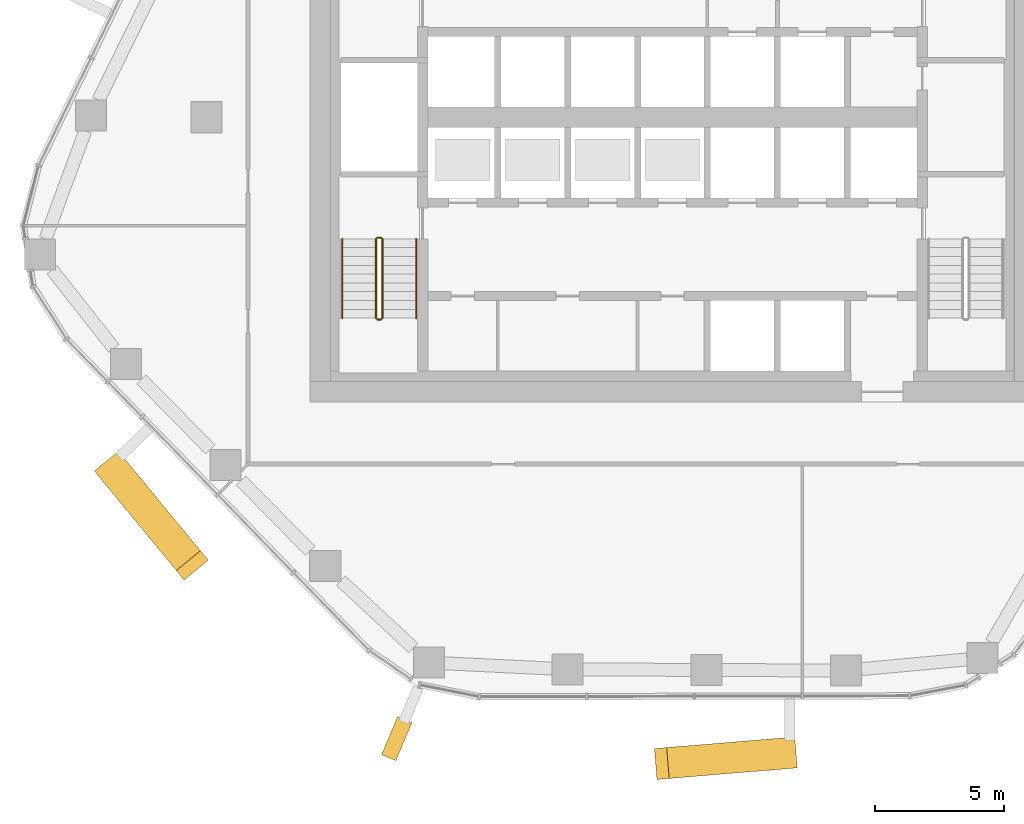
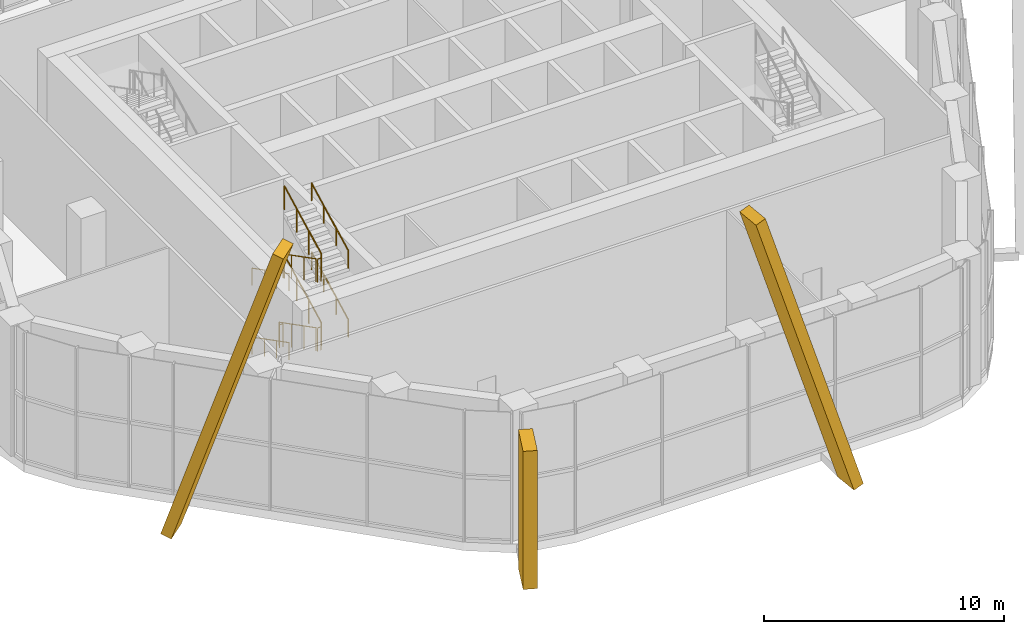
# One storey, part 15 of 20: 12 railings, 3 coverings, 3 elements without a shape of their own.
"""IFC4 building model written with IfcOpenShell, lengths in metres."""

from ifc_helpers import new_model, si_unit, direction, frame, origin, origin_2d, place, context, subcontext, project, spatial, rectangle, circle, extrude, material, layer, layer_set, material_profile, profile_set, type_object, element, aggregate, save


model = new_model("IFC4")

# Units and contexts
model_context = context("Model", 3, precision=1e-05, world=origin(), true_north=direction((0.0, 1.0)))
body_context = subcontext(model_context, "Body", "Model", "MODEL_VIEW")
ifc_project = project(units=[si_unit("LENGTHUNIT", "METRE"), si_unit("AREAUNIT", "SQUARE_METRE"), si_unit("VOLUMEUNIT", "CUBIC_METRE"), si_unit("PLANEANGLEUNIT", "RADIAN"), si_unit("MASSUNIT", "GRAM", prefix="KILO")], contexts=[model_context])

# Site, building, storey
site_placement = place(None, origin())
site = spatial("IfcSite", under=ifc_project, at=site_placement, CompositionType="ELEMENT")
building_placement = place(site_placement, origin())
building = spatial("IfcBuilding", under=site, at=building_placement, Name="Dongbaek Canopy Tower", CompositionType="ELEMENT")
storey_placement = place(building_placement, frame((0.0, 0.0, 151.60009765625)))
storey = spatial("IfcBuildingStorey", under=building, at=storey_placement, Name="L33", CompositionType="ELEMENT", Elevation=151.60009765625)

# Curtain wall, covering
ifc_material_1 = material(Name="Aluminium 6063-T6 pale anodised", Category="aluminium")
ifc_layer = layer(ifc_material_1, 0.25)
ifc_layer_set = layer_set([ifc_layer], Name="CW-4 sky-lobby curtain wall")
curtain_wall_type = type_object("IfcCurtainWallType", Name="CW-4 sky-lobby curtain wall", PredefinedType="NOTDEFINED", material=ifc_layer_set)
curtain_wall_1_placement = place(storey_placement, origin())
curtain_wall_1 = element("IfcCurtainWall", 1, at=curtain_wall_1_placement, inside=storey, type_object=curtain_wall_type, Name="CW-4 curtain wall K4.1b", PredefinedType="NOTDEFINED")
ifc_material_2 = material(Name="Aluminium 6063-T6 pale metal fin", Category="aluminium")
ifc_material_profile_1 = material_profile(ifc_material_2, rectangle(XDim=1.60009765625, YDim=0.60009765625, at=origin_2d()), Name="Corner fin CN1 600 x 1600 pale metal")
ifc_profile_set_1 = profile_set([ifc_material_profile_1], Name="Aluminium 6063-T6 pale metal fin")
covering_type_1 = type_object("IfcCoveringType", Name="Corner fin CN1 600 x 1600 pale metal", PredefinedType="CLADDING", material=ifc_profile_set_1)
covering_1_placement = place(storey_placement, frame((-10.6484375, -23.998046875, -0.22509765625), z_axis=(0.0, 0.0, 1.0), x_axis=(-0.388223412195, -0.921565289181, 0.0)))
covering_1 = element("IfcCovering", 2, at=covering_1_placement, type_object=covering_type_1, Name="Corner fin L33 L33 K4", PredefinedType="CLADDING", context=body_context, shape_type="SweptSolid", body=[
    extrude(rectangle(XDim=1.60009765625, YDim=0.60009765625, at=origin_2d()), origin(), (0.0, 0.0, 1.0), 7.014892578125),
])
aggregate(curtain_wall_1, [covering_1])

curtain_wall_2_placement = place(storey_placement, origin())
curtain_wall_2 = element("IfcCurtainWall", 3, at=curtain_wall_2_placement, inside=storey, type_object=curtain_wall_type, Name="CW-4 curtain wall F3.1b", PredefinedType="NOTDEFINED")
ifc_material_3 = material(Name="Aluminium 6063-T6 pale metal fin", Category="aluminium")
ifc_material_profile_2 = material_profile(ifc_material_3, rectangle(XDim=1.199951171875, YDim=0.5, at=origin_2d()), Name="Crease fin CF1 500 x 1200 pale metal")
ifc_profile_set_2 = profile_set([ifc_material_profile_2], Name="Aluminium 6063-T6 pale metal fin")
covering_type_2 = type_object("IfcCoveringType", Name="Crease fin CF1 500 x 1200 pale metal", PredefinedType="CLADDING", material=ifc_profile_set_2)
covering_2_placement = place(storey_placement, frame((-21.71240234375, -13.4658203125, -0.22509765625), z_axis=(0.195156632746, -0.236915696248, 0.951727293696), x_axis=(0.771850950603, 0.635803515289, 0.0)))
covering_2 = element("IfcCovering", 4, at=covering_2_placement, type_object=covering_type_2, Name="Crease fin L33 L36 F3", PredefinedType="CLADDING", context=body_context, shape_type="SweptSolid", body=[
    extrude(rectangle(XDim=1.199951171875, YDim=0.5, at=origin_2d()), origin(), (0.0, 0.0, 1.0), 16.218017578125),
])
aggregate(curtain_wall_2, [covering_2])

curtain_wall_3_placement = place(storey_placement, origin())
curtain_wall_3 = element("IfcCurtainWall", 5, at=curtain_wall_3_placement, inside=storey, type_object=curtain_wall_type, Name="CW-4 curtain wall F4.1", PredefinedType="NOTDEFINED")
covering_3_placement = place(storey_placement, frame((4.532958984375, -24.55224609375, -0.22509765625), z_axis=(-0.304978367283, -0.025268044255, 0.952024013053), x_axis=(0.082569012781, -0.996585349144, 0.0)))
covering_3 = element("IfcCovering", 6, at=covering_3_placement, type_object=covering_type_2, Name="Crease fin L33 L36 F4", PredefinedType="CLADDING", context=body_context, shape_type="SweptSolid", body=[
    extrude(rectangle(XDim=1.199951171875, YDim=0.5, at=origin_2d()), origin(), (0.0, 0.0, 1.0), 16.212890625),
])
aggregate(curtain_wall_3, [covering_3])

# Railings
ifc_material_4 = material(Name="Stainless steel tube and balusters", Category="steel")
railing_type_1 = type_object("IfcRailingType", Name="Stair guard 1200", PredefinedType="GUARDRAIL", material=ifc_material_4)
railing_1_placement = place(storey_placement, frame((-11.449951171875, -4.699951171875, 0.1748046875)))
element("IfcRailing", 7, at=railing_1_placement, inside=storey, type_object=railing_type_1, Name="L33 ST-D stair guard 1", PredefinedType="GUARDRAIL", context=body_context, shape_type="SweptSolid", body=[
    extrude(circle(Radius=0.02392578125, at=origin_2d()), frame((0.0, 0.0, 1.17578125), z_axis=(0.0, -0.889116283586, 0.457681367616), x_axis=(1.0, 0.0, 0.0)), (0.0, 0.0, 1.0), 3.441650390625),
    extrude(circle(Radius=0.02099609375, at=origin_2d()), origin(), (0.0, 0.0, 1.0), 1.15185546875),
    extrude(circle(Radius=0.02099609375, at=origin_2d()), frame((0.0, -1.02001953125, 0.525146484375)), (0.0, 0.0, 1.0), 1.15185546875),
    extrude(circle(Radius=0.02099609375, at=origin_2d()), frame((0.0, -2.0400390625, 1.050048828125)), (0.0, 0.0, 1.0), 1.15185546875),
    extrude(circle(Radius=0.02099609375, at=origin_2d()), frame((0.0, -3.06005859375, 1.5751953125)), (0.0, 0.0, 1.0), 1.15185546875),
])
railing_2_placement = place(storey_placement, frame((-11.39990234375, -7.81005859375, 1.75)))
element("IfcRailing", 8, at=railing_2_placement, inside=storey, type_object=railing_type_1, Name="L33 ST-D stair guard 2", PredefinedType="GUARDRAIL", context=body_context, shape_type="SweptSolid", body=[
    extrude(circle(Radius=0.02392578125, at=origin_2d()), frame((0.0, 0.0, 1.17578125), z_axis=(1.0, 0.0, 0.0), x_axis=(0.0, 1.0, 0.0)), (0.0, 0.0, 1.0), 0.14990234375),
    extrude(circle(Radius=0.02099609375, at=origin_2d()), origin(), (0.0, 0.0, 1.0), 1.15185546875),
    extrude(circle(Radius=0.02099609375, at=origin_2d()), frame((0.14990234375, 0.0, 0.0)), (0.0, 0.0, 1.0), 1.15185546875),
])
railing_3_placement = place(storey_placement, frame((-11.199951171875, -7.760009765625, 1.9248046875)))
element("IfcRailing", 9, at=railing_3_placement, inside=storey, type_object=railing_type_1, Name="L33 ST-D stair guard 3", PredefinedType="GUARDRAIL", context=body_context, shape_type="SweptSolid", body=[
    extrude(circle(Radius=0.02392578125, at=origin_2d()), frame((0.0, 0.0, 1.17578125), z_axis=(0.0, 0.889116283586, 0.457681367616), x_axis=(-1.0, 0.0, 0.0)), (0.0, 0.0, 1.0), 3.441650390625),
    extrude(circle(Radius=0.02099609375, at=origin_2d()), origin(), (0.0, 0.0, 1.0), 1.15185546875),
    extrude(circle(Radius=0.02099609375, at=origin_2d()), frame((0.0, 1.02001953125, 0.525146484375)), (0.0, 0.0, 1.0), 1.15185546875),
    extrude(circle(Radius=0.02099609375, at=origin_2d()), frame((0.0, 2.0400390625, 1.050048828125)), (0.0, 0.0, 1.0), 1.15185546875),
    extrude(circle(Radius=0.02099609375, at=origin_2d()), frame((0.0, 3.06005859375, 1.5751953125)), (0.0, 0.0, 1.0), 1.15185546875),
])
railing_4_placement = place(storey_placement, frame((-11.39990234375, -4.64990234375, 3.5)))
element("IfcRailing", 10, at=railing_4_placement, inside=storey, type_object=railing_type_1, Name="L33 ST-D stair guard 4", PredefinedType="GUARDRAIL", context=body_context, shape_type="SweptSolid", body=[
    extrude(circle(Radius=0.02392578125, at=origin_2d()), frame((0.0, 0.0, 1.17578125), z_axis=(1.0, 0.0, 0.0), x_axis=(0.0, 1.0, 0.0)), (0.0, 0.0, 1.0), 0.14990234375),
    extrude(circle(Radius=0.02099609375, at=origin_2d()), origin(), (0.0, 0.0, 1.0), 1.15185546875),
    extrude(circle(Radius=0.02099609375, at=origin_2d()), frame((0.14990234375, 0.0, 0.0)), (0.0, 0.0, 1.0), 1.15185546875),
])
railing_5_placement = place(storey_placement, frame((-11.449951171875, -4.699951171875, 3.6748046875)))
element("IfcRailing", 11, at=railing_5_placement, inside=storey, type_object=railing_type_1, Name="L33 ST-D stair guard 5", PredefinedType="GUARDRAIL", context=body_context, shape_type="SweptSolid", body=[
    extrude(circle(Radius=0.02392578125, at=origin_2d()), frame((0.0, 0.0, 1.17578125), z_axis=(0.0, -0.889116283586, 0.457681367616), x_axis=(1.0, 0.0, 0.0)), (0.0, 0.0, 1.0), 3.441650390625),
    extrude(circle(Radius=0.02099609375, at=origin_2d()), origin(), (0.0, 0.0, 1.0), 1.15185546875),
    extrude(circle(Radius=0.02099609375, at=origin_2d()), frame((0.0, -1.02001953125, 0.525146484375)), (0.0, 0.0, 1.0), 1.15185546875),
    extrude(circle(Radius=0.02099609375, at=origin_2d()), frame((0.0, -2.0400390625, 1.050048828125)), (0.0, 0.0, 1.0), 1.15185546875),
    extrude(circle(Radius=0.02099609375, at=origin_2d()), frame((0.0, -3.06005859375, 1.5751953125)), (0.0, 0.0, 1.0), 1.15185546875),
])
railing_6_placement = place(storey_placement, frame((-11.39990234375, -7.81005859375, 5.25)))
element("IfcRailing", 12, at=railing_6_placement, inside=storey, type_object=railing_type_1, Name="L33 ST-D stair guard 6", PredefinedType="GUARDRAIL", context=body_context, shape_type="SweptSolid", body=[
    extrude(circle(Radius=0.02392578125, at=origin_2d()), frame((0.0, 0.0, 1.17578125), z_axis=(1.0, 0.0, 0.0), x_axis=(0.0, 1.0, 0.0)), (0.0, 0.0, 1.0), 0.14990234375),
    extrude(circle(Radius=0.02099609375, at=origin_2d()), origin(), (0.0, 0.0, 1.0), 1.15185546875),
    extrude(circle(Radius=0.02099609375, at=origin_2d()), frame((0.14990234375, 0.0, 0.0)), (0.0, 0.0, 1.0), 1.15185546875),
])
railing_7_placement = place(storey_placement, frame((-11.199951171875, -7.760009765625, 5.4248046875)))
element("IfcRailing", 13, at=railing_7_placement, inside=storey, type_object=railing_type_1, Name="L33 ST-D stair guard 7", PredefinedType="GUARDRAIL", context=body_context, shape_type="SweptSolid", body=[
    extrude(circle(Radius=0.02392578125, at=origin_2d()), frame((0.0, 0.0, 1.17578125), z_axis=(0.0, 0.889116283586, 0.457681367616), x_axis=(-1.0, 0.0, 0.0)), (0.0, 0.0, 1.0), 3.441650390625),
    extrude(circle(Radius=0.02099609375, at=origin_2d()), origin(), (0.0, 0.0, 1.0), 1.15185546875),
    extrude(circle(Radius=0.02099609375, at=origin_2d()), frame((0.0, 1.02001953125, 0.525146484375)), (0.0, 0.0, 1.0), 1.15185546875),
    extrude(circle(Radius=0.02099609375, at=origin_2d()), frame((0.0, 2.0400390625, 1.050048828125)), (0.0, 0.0, 1.0), 1.15185546875),
    extrude(circle(Radius=0.02099609375, at=origin_2d()), frame((0.0, 3.06005859375, 1.5751953125)), (0.0, 0.0, 1.0), 1.15185546875),
])
railing_8_placement = place(storey_placement, frame((-11.39990234375, -4.64990234375, 0.0)))
element("IfcRailing", 14, at=railing_8_placement, inside=storey, type_object=railing_type_1, Name="L33 ST-D stair guard 8", PredefinedType="GUARDRAIL", context=body_context, shape_type="SweptSolid", body=[
    extrude(circle(Radius=0.02392578125, at=origin_2d()), frame((0.0, 0.0, 1.17578125), z_axis=(1.0, 0.0, 0.0), x_axis=(0.0, 1.0, 0.0)), (0.0, 0.0, 1.0), 0.14990234375),
    extrude(circle(Radius=0.02099609375, at=origin_2d()), origin(), (0.0, 0.0, 1.0), 1.15185546875),
    extrude(circle(Radius=0.02099609375, at=origin_2d()), frame((0.14990234375, 0.0, 0.0)), (0.0, 0.0, 1.0), 1.15185546875),
])
ifc_material_5 = material(Name="Stainless steel tube", Category="steel")
railing_type_2 = type_object("IfcRailingType", Name="Stair handrail 900", PredefinedType="HANDRAIL", material=ifc_material_5)
railing_9_placement = place(storey_placement, frame((-12.75, -4.699951171875, 0.1748046875)))
element("IfcRailing", 15, at=railing_9_placement, inside=storey, type_object=railing_type_2, Name="L33 ST-D stair handrail 1", PredefinedType="HANDRAIL", context=body_context, shape_type="SweptSolid", body=[
    extrude(circle(Radius=0.02392578125, at=origin_2d()), frame((0.0, 0.0, 0.8759765625), z_axis=(0.0, -0.889116283586, 0.457681367616), x_axis=(1.0, 0.0, 0.0)), (0.0, 0.0, 1.0), 3.441650390625),
    extrude(circle(Radius=0.02099609375, at=origin_2d()), origin(), (0.0, 0.0, 1.0), 0.851806640625),
    extrude(circle(Radius=0.02099609375, at=origin_2d()), frame((0.0, -1.02001953125, 0.525146484375)), (0.0, 0.0, 1.0), 0.851806640625),
    extrude(circle(Radius=0.02099609375, at=origin_2d()), frame((0.0, -2.0400390625, 1.050048828125)), (0.0, 0.0, 1.0), 0.851806640625),
    extrude(circle(Radius=0.02099609375, at=origin_2d()), frame((0.0, -3.06005859375, 1.5751953125)), (0.0, 0.0, 1.0), 0.851806640625),
])
railing_10_placement = place(storey_placement, frame((-9.89990234375, -7.760009765625, 1.9248046875)))
element("IfcRailing", 16, at=railing_10_placement, inside=storey, type_object=railing_type_2, Name="L33 ST-D stair handrail 2", PredefinedType="HANDRAIL", context=body_context, shape_type="SweptSolid", body=[
    extrude(circle(Radius=0.02392578125, at=origin_2d()), frame((0.0, 0.0, 0.8759765625), z_axis=(0.0, 0.889116283586, 0.457681367616), x_axis=(-1.0, 0.0, 0.0)), (0.0, 0.0, 1.0), 3.441650390625),
    extrude(circle(Radius=0.02099609375, at=origin_2d()), origin(), (0.0, 0.0, 1.0), 0.851806640625),
    extrude(circle(Radius=0.02099609375, at=origin_2d()), frame((0.0, 1.02001953125, 0.525146484375)), (0.0, 0.0, 1.0), 0.851806640625),
    extrude(circle(Radius=0.02099609375, at=origin_2d()), frame((0.0, 2.0400390625, 1.050048828125)), (0.0, 0.0, 1.0), 0.851806640625),
    extrude(circle(Radius=0.02099609375, at=origin_2d()), frame((0.0, 3.06005859375, 1.5751953125)), (0.0, 0.0, 1.0), 0.851806640625),
])
railing_11_placement = place(storey_placement, frame((-12.75, -4.699951171875, 3.6748046875)))
element("IfcRailing", 17, at=railing_11_placement, inside=storey, type_object=railing_type_2, Name="L33 ST-D stair handrail 3", PredefinedType="HANDRAIL", context=body_context, shape_type="SweptSolid", body=[
    extrude(circle(Radius=0.02392578125, at=origin_2d()), frame((0.0, 0.0, 0.8759765625), z_axis=(0.0, -0.889116283586, 0.457681367616), x_axis=(1.0, 0.0, 0.0)), (0.0, 0.0, 1.0), 3.441650390625),
    extrude(circle(Radius=0.02099609375, at=origin_2d()), origin(), (0.0, 0.0, 1.0), 0.851806640625),
    extrude(circle(Radius=0.02099609375, at=origin_2d()), frame((0.0, -1.02001953125, 0.525146484375)), (0.0, 0.0, 1.0), 0.851806640625),
    extrude(circle(Radius=0.02099609375, at=origin_2d()), frame((0.0, -2.0400390625, 1.050048828125)), (0.0, 0.0, 1.0), 0.851806640625),
    extrude(circle(Radius=0.02099609375, at=origin_2d()), frame((0.0, -3.06005859375, 1.5751953125)), (0.0, 0.0, 1.0), 0.851806640625),
])
railing_12_placement = place(storey_placement, frame((-9.89990234375, -7.760009765625, 5.4248046875)))
element("IfcRailing", 18, at=railing_12_placement, inside=storey, type_object=railing_type_2, Name="L33 ST-D stair handrail 4", PredefinedType="HANDRAIL", context=body_context, shape_type="SweptSolid", body=[
    extrude(circle(Radius=0.02392578125, at=origin_2d()), frame((0.0, 0.0, 0.8759765625), z_axis=(0.0, 0.889116283586, 0.457681367616), x_axis=(-1.0, 0.0, 0.0)), (0.0, 0.0, 1.0), 3.441650390625),
    extrude(circle(Radius=0.02099609375, at=origin_2d()), origin(), (0.0, 0.0, 1.0), 0.851806640625),
    extrude(circle(Radius=0.02099609375, at=origin_2d()), frame((0.0, 1.02001953125, 0.525146484375)), (0.0, 0.0, 1.0), 0.851806640625),
    extrude(circle(Radius=0.02099609375, at=origin_2d()), frame((0.0, 2.0400390625, 1.050048828125)), (0.0, 0.0, 1.0), 0.851806640625),
    extrude(circle(Radius=0.02099609375, at=origin_2d()), frame((0.0, 3.06005859375, 1.5751953125)), (0.0, 0.0, 1.0), 0.851806640625),
])

save(model, "model.ifc")
